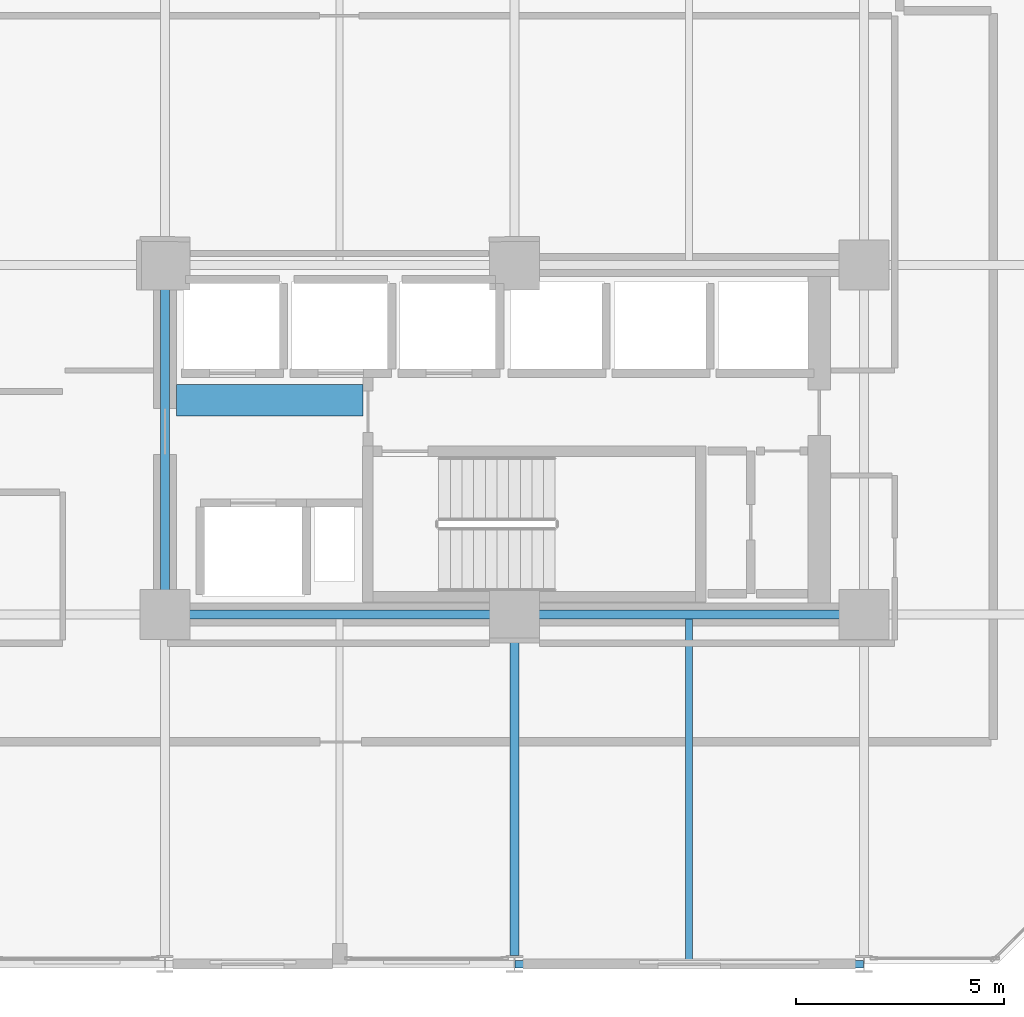
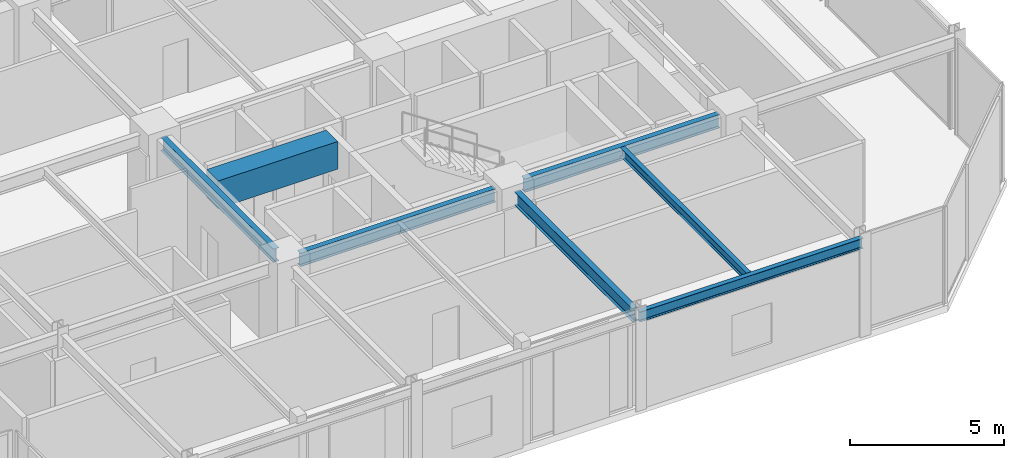
# One storey, part 7 of 29: 7 beams.
"""IFC4 building model written with IfcOpenShell, lengths in metres."""

from ifc_helpers import new_model, si_unit, direction, frame, origin, origin_2d, place, context, subcontext, project, spatial, rectangle, i_section, extrude, material, material_profile, profile_set, type_object, element, save


model = new_model("IFC4")

# Units and contexts
model_context = context("Model", 3, precision=1e-05, world=origin(), true_north=direction((0.0, 1.0)))
body_context = subcontext(model_context, "Body", "Model", "MODEL_VIEW")
ifc_project = project(units=[si_unit("LENGTHUNIT", "METRE"), si_unit("AREAUNIT", "SQUARE_METRE"), si_unit("VOLUMEUNIT", "CUBIC_METRE"), si_unit("PLANEANGLEUNIT", "RADIAN"), si_unit("MASSUNIT", "GRAM", prefix="KILO")], contexts=[model_context])

# Site, building, storey
site_placement = place(None, origin())
site = spatial("IfcSite", under=ifc_project, at=site_placement, CompositionType="ELEMENT")
building_placement = place(site_placement, origin())
building = spatial("IfcBuilding", under=site, at=building_placement, Name="Nerrivon Quay Data Exchange", CompositionType="ELEMENT")
storey_placement = place(building_placement, frame((0.0, 0.0, 133.60009765625)))
storey = spatial("IfcBuildingStorey", under=building, at=storey_placement, Name="L31", CompositionType="ELEMENT", Elevation=133.60009765625)

# Beams
ifc_material_1 = material(Name="Concrete S65 (65 MPa)", Category="concrete")
ifc_material_profile_1 = material_profile(ifc_material_1, rectangle(XDim=0.75, YDim=1.10009765625, at=origin_2d()), Name="RC-CB-750x1100")
ifc_profile_set_1 = profile_set([ifc_material_profile_1], Name="Concrete S65 (65 MPa)")
beam_type_1 = type_object("IfcBeamType", Name="BM-CB1-750x1100", PredefinedType="LINTEL", material=ifc_profile_set_1)
beam_1_placement = place(storey_placement, frame((17.074951171875, 13.550048828125, 3.27490234375), z_axis=(1.0, 0.0, 0.0), x_axis=(0.0, 1.0, 0.0)))
element("IfcBeam", 1, at=beam_1_placement, inside=storey, type_object=beam_type_1, Name="L31 East Core Coupling Beam", PredefinedType="LINTEL", context=body_context, shape_type="SweptSolid", body=[
    extrude(rectangle(XDim=0.75, YDim=1.10009765625, at=origin_2d()), origin(), (0.0, 0.0, 1.0), 4.47998046875),
])
ifc_material_2 = material(Name="Steel Grade 350", Category="steel")
ifc_material_profile_2 = material_profile(ifc_material_2, i_section(OverallWidth=0.208984375, OverallDepth=0.532958984375, WebThickness=0.01025390625, FlangeThickness=0.015625, FilletRadius=0.013916015625, at=origin_2d()), Name="530UB92.4")
ifc_profile_set_2 = profile_set([ifc_material_profile_2], Name="Steel Grade 350")
beam_type_2 = type_object("IfcBeamType", Name="BM-G3-530UB92", PredefinedType="BEAM", material=ifc_profile_set_2)
beam_2_placement = place(storey_placement, frame((17.340087890625, 8.39990234375, 3.558349609375), z_axis=(1.0, 0.0, 0.0), x_axis=(0.0, 1.0, 0.0)))
element("IfcBeam", 2, at=beam_2_placement, inside=storey, type_object=beam_type_2, Name="L31 EW Girder Y=8.4 (16.8..25.2)", PredefinedType="BEAM", context=body_context, shape_type="SweptSolid", body=[
    extrude(i_section(OverallWidth=0.208984375, OverallDepth=0.532958984375, WebThickness=0.01025390625, FlangeThickness=0.015625, FilletRadius=0.013916015625, at=origin_2d()), origin(), (0.0, 0.0, 1.0), 7.31982421875),
])
beam_3_placement = place(storey_placement, frame((25.739990234375, 8.39990234375, 3.558349609375), z_axis=(1.0, 0.0, 0.0), x_axis=(0.0, 1.0, 0.0)))
element("IfcBeam", 3, at=beam_3_placement, inside=storey, type_object=beam_type_2, Name="L31 EW Girder Y=8.4 (25.2..33.6)", PredefinedType="BEAM", context=body_context, shape_type="SweptSolid", body=[
    extrude(i_section(OverallWidth=0.208984375, OverallDepth=0.532958984375, WebThickness=0.01025390625, FlangeThickness=0.015625, FilletRadius=0.013916015625, at=origin_2d()), origin(), (0.0, 0.0, 1.0), 7.320068359375),
])
ifc_material_profile_3 = material_profile(ifc_material_2, i_section(OverallWidth=0.208984375, OverallDepth=0.528076171875, WebThickness=0.009521484375, FlangeThickness=0.01318359375, FilletRadius=0.013916015625, at=origin_2d()), Name="530UB82.0")
ifc_profile_set_3 = profile_set([ifc_material_profile_3], Name="Steel Grade 350")
beam_type_3 = type_object("IfcBeamType", Name="BM-G4-530UB82", PredefinedType="BEAM", material=ifc_profile_set_3)
beam_4_placement = place(storey_placement, frame((16.800048828125, 8.93994140625, 3.560791015625), z_axis=(0.0, 1.0, 0.0), x_axis=(-1.0, 0.0, 0.0)))
element("IfcBeam", 4, at=beam_4_placement, inside=storey, type_object=beam_type_3, Name="L31 NS Girder X=16.8 (8.4..16.8)", PredefinedType="BEAM", context=body_context, shape_type="SweptSolid", body=[
    extrude(i_section(OverallWidth=0.208984375, OverallDepth=0.528076171875, WebThickness=0.009521484375, FlangeThickness=0.01318359375, FilletRadius=0.013916015625, at=origin_2d()), origin(), (0.0, 0.0, 1.0), 7.320068359375),
])
beam_5_placement = place(storey_placement, frame((25.199951171875, 0.199951171875, 3.560791015625), z_axis=(0.0, 1.0, 0.0), x_axis=(-1.0, 0.0, 0.0)))
element("IfcBeam", 5, at=beam_5_placement, inside=storey, type_object=beam_type_3, Name="L31 NS Girder X=25.2 (0.0..8.4)", PredefinedType="BEAM", context=body_context, shape_type="SweptSolid", body=[
    extrude(i_section(OverallWidth=0.208984375, OverallDepth=0.528076171875, WebThickness=0.009521484375, FlangeThickness=0.01318359375, FilletRadius=0.013916015625, at=origin_2d()), origin(), (0.0, 0.0, 1.0), 7.66015625),
])
ifc_material_profile_4 = material_profile(ifc_material_2, i_section(OverallWidth=0.1708984375, OverallDepth=0.35595703125, WebThickness=0.00732421875, FlangeThickness=0.011474609375, FilletRadius=0.011474609375, at=origin_2d()), Name="360UB50.7")
ifc_profile_set_4 = profile_set([ifc_material_profile_4], Name="Steel Grade 350")
beam_type_4 = type_object("IfcBeamType", Name="BM-J4-360UB51", PredefinedType="JOIST", material=ifc_profile_set_4)
beam_6_placement = place(storey_placement, frame((29.39990234375, 0.089111328125, 3.64697265625), z_axis=(0.0, 1.0, 0.0), x_axis=(-1.0, 0.0, 0.0)))
element("IfcBeam", 6, at=beam_6_placement, inside=storey, type_object=beam_type_4, Name="L31 Secondary Joist X=29.4 (0.0..8.4)", PredefinedType="JOIST", context=body_context, shape_type="SweptSolid", body=[
    extrude(i_section(OverallWidth=0.1708984375, OverallDepth=0.35595703125, WebThickness=0.00732421875, FlangeThickness=0.011474609375, FilletRadius=0.011474609375, at=origin_2d()), origin(), (0.0, 0.0, 1.0), 8.206298828125),
])
ifc_material_profile_5 = material_profile(ifc_material_2, i_section(OverallWidth=0.177978515625, OverallDepth=0.403076171875, WebThickness=0.007568359375, FlangeThickness=0.010986328125, FilletRadius=0.011474609375, at=origin_2d()), Name="410UB53.7")
ifc_profile_set_5 = profile_set([ifc_material_profile_5], Name="Steel Grade 350")
beam_type_5 = type_object("IfcBeamType", Name="BM-SP2-410UB54", PredefinedType="SPANDREL", material=ifc_profile_set_5)
beam_7_placement = place(storey_placement, frame((25.21240234375, 0.0, 3.623291015625), z_axis=(1.0, 0.0, 0.0), x_axis=(0.0, 1.0, 0.0)))
element("IfcBeam", 7, at=beam_7_placement, inside=storey, type_object=beam_type_5, Name="L31 EW Girder Y=0.0 (25.2..33.6)", PredefinedType="SPANDREL", context=body_context, shape_type="SweptSolid", body=[
    extrude(i_section(OverallWidth=0.177978515625, OverallDepth=0.403076171875, WebThickness=0.007568359375, FlangeThickness=0.010986328125, FilletRadius=0.011474609375, at=origin_2d()), origin(), (0.0, 0.0, 1.0), 8.375),
])

save(model, "model.ifc")
